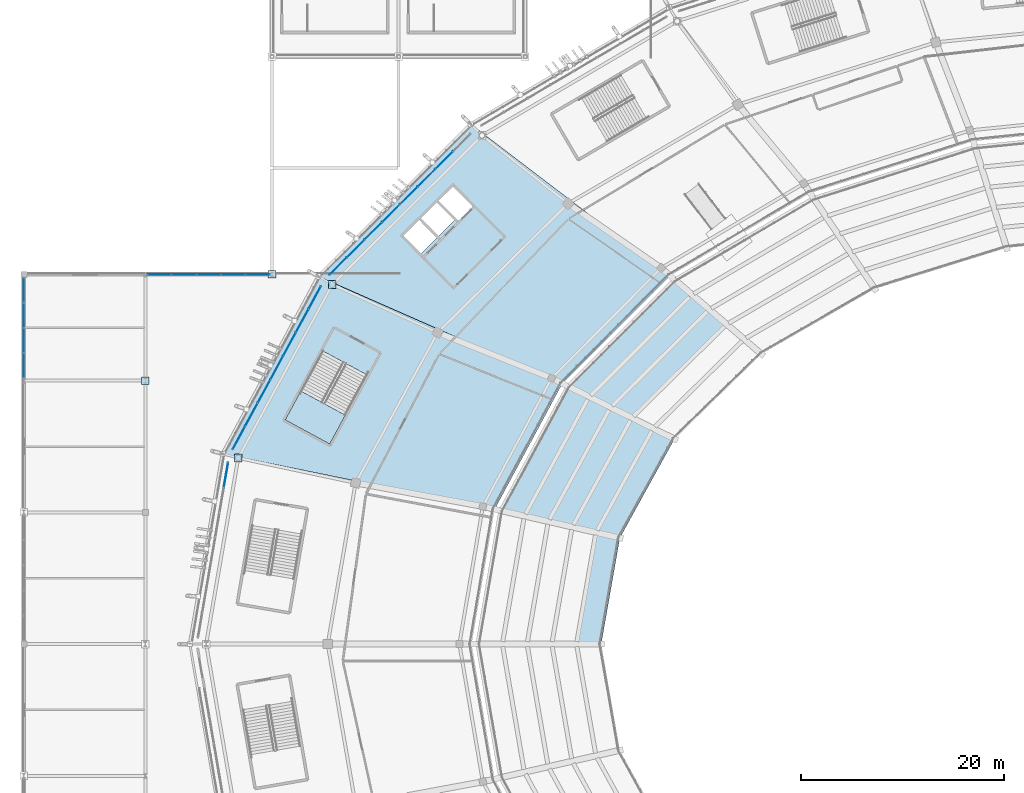
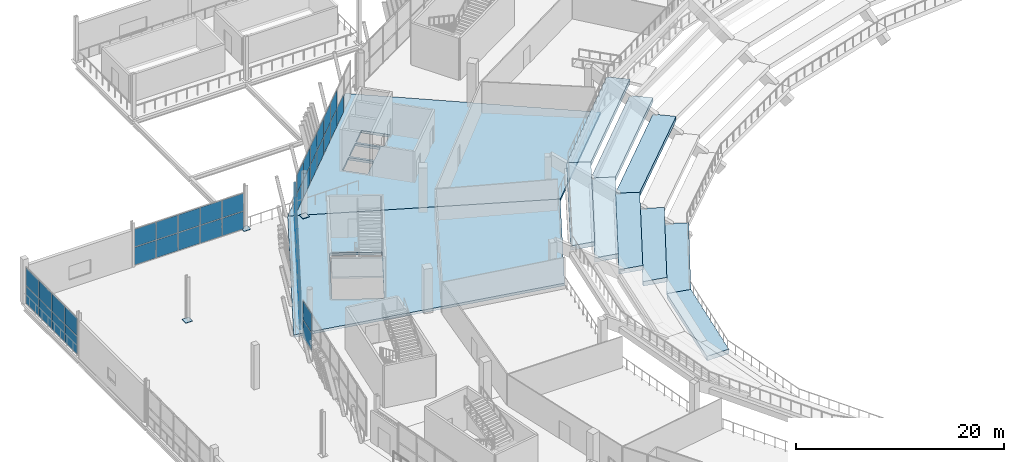
# One storey, part 93 of 178: 51 plates, 12 slabs, 6 elements without a shape of their own.
"""IFC4 building model written with IfcOpenShell, lengths in metres."""

from ifc_helpers import new_model, si_unit, direction, frame, origin, origin_2d, place, context, subcontext, project, spatial, polyline, rectangle, outline, extrude, material, layer, layer_set, type_object, element, aggregate, save


model = new_model("IFC4")

# Units and contexts
model_context = context("Model", 3, precision=1e-05, world=origin(), true_north=direction((0.0, 1.0)))
body_context = subcontext(model_context, "Body", "Model", "MODEL_VIEW")
ifc_project = project(units=[si_unit("LENGTHUNIT", "METRE"), si_unit("AREAUNIT", "SQUARE_METRE"), si_unit("VOLUMEUNIT", "CUBIC_METRE"), si_unit("PLANEANGLEUNIT", "RADIAN"), si_unit("MASSUNIT", "GRAM", prefix="KILO")], contexts=[model_context])

# Site, building, storey
site_placement = place(None, origin())
site = spatial("IfcSite", under=ifc_project, at=site_placement, CompositionType="ELEMENT")
building_placement = place(site_placement, origin())
building = spatial("IfcBuilding", under=site, at=building_placement, Name="Zlatoyarsky Gate Stadium", CompositionType="ELEMENT")
storey_placement = place(building_placement, frame((0.0, 0.0, 5.39990234375)))
storey = spatial("IfcBuildingStorey", under=building, at=storey_placement, Name="L01", CompositionType="ELEMENT", Elevation=5.39990234375)

# Slabs
ifc_material_1 = material(Name="Concrete C40/50", Category="concrete")
ifc_layer_1 = layer(ifc_material_1, 0.300048828125)
ifc_layer_set_1 = layer_set([ifc_layer_1], Name="Concrete C40/50")
slab_type_1 = type_object("IfcSlabType", Name="CONCRETE CONCOURSE SLAB 300", PredefinedType="FLOOR", material=ifc_layer_set_1)
slab_1_placement = place(storey_placement, frame((0.0, 0.0, -0.2998046875)))
element("IfcSlab", 1, at=slab_1_placement, inside=storey, type_object=slab_type_1, Name="L01 bowl sector 09 slab", PredefinedType="FLOOR", context=body_context, shape_type="SweptSolid", body=[
    extrude(outline(polyline([(53.1494140625, 105.699951171875), (29.066650390625, 116.30419921875), (44.101806640625, 131.342041015625), (63.765380859375, 116.34521484375), (53.1494140625, 105.699951171875)]), holes=[polyline([(40.7880859375, 120.0986328125), (39.02490234375, 121.870849609375), (37.46533203125, 120.319091796875), (39.228759765625, 118.547119140625), (40.7880859375, 120.0986328125)]), polyline([(42.52490234375, 121.82666015625), (40.76171875, 123.598876953125), (39.2021484375, 122.047119140625), (40.965576171875, 120.27490234375), (42.52490234375, 121.82666015625)]), polyline([(42.356689453125, 125.185791015625), (40.93896484375, 123.775146484375), (42.913818359375, 121.790283203125), (44.331787109375, 123.200927734375), (42.356689453125, 125.185791015625)])]), origin(), (0.0, 0.0, 1.0), 0.2998046875),
])
slab_2_placement = place(storey_placement, frame((0.0, 0.0, -0.2998046875)))
element("IfcSlab", 2, at=slab_2_placement, inside=storey, type_object=slab_type_1, Name="L01 bowl sector 10 slab", PredefinedType="FLOOR", context=body_context, shape_type="SweptSolid", body=[
    extrude(outline(polyline([(46.476318359375, 93.30322265625), (19.615234375, 98.79248046875), (29.066650390625, 116.30419921875), (53.1494140625, 105.699951171875), (46.476318359375, 93.30322265625)]), holes=[polyline([(29.4970703125, 108.94580078125), (25.80126953125, 102.1337890625), (30.196044921875, 99.749267578125), (33.891845703125, 106.561279296875), (29.4970703125, 108.94580078125)])]), origin(), (0.0, 0.0, 1.0), 0.2998046875),
])

# Stair, slab
stair_type = type_object("IfcStairType", Name="CONCRETE DOGLEG EXIT STAIR H5200", PredefinedType="TWO_STRAIGHT_RUN_STAIR", material=ifc_material_1)
stair_placement = place(storey_placement, origin())
stair = element("IfcStair", 3, at=stair_placement, inside=storey, type_object=stair_type, Name="L01 Exit Stair ST-06", PredefinedType="TWO_STRAIGHT_RUN_STAIR")
ifc_layer_2 = layer(ifc_material_1, 0.199951171875)
ifc_layer_set_2 = layer_set([ifc_layer_2], Name="Concrete C40/50")
slab_type_2 = type_object("IfcSlabType", Name="CONCRETE STAIR LANDING SLAB 200", PredefinedType="LANDING", material=ifc_layer_set_2)
slab_3_placement = place(storey_placement, frame((0.0, 0.0, 2.400146484375)))
slab_3 = element("IfcSlab", 4, at=slab_3_placement, type_object=slab_type_2, Name="ST-DG52 landing 1", PredefinedType="LANDING", context=body_context, shape_type="SweptSolid", body=[
    extrude(outline(polyline([(27.35107421875, 104.990478515625), (25.80126953125, 102.1337890625), (30.196044921875, 99.749267578125), (31.745849609375, 102.60595703125), (27.35107421875, 104.990478515625)])), origin(), (0.0, 0.0, 1.0), 0.199951171875),
])
aggregate(stair, [slab_3])

# Slabs
ifc_material_2 = material(Name="Precast concrete C40/50", Category="concrete")
ifc_layer_3 = layer(ifc_material_2, 0.52001953125)
ifc_layer_set_3 = layer_set([ifc_layer_3], Name="Precast concrete C40/50")
slab_type_3 = type_object("IfcSlabType", Name="PRECAST LOWER SEATING TIER UNIT 520", PredefinedType="USERDEFINED", material=ifc_layer_set_3)
slab_4_placement = place(storey_placement, frame((0.0, 0.0, -0.06982421875)))
element("IfcSlab", 5, at=slab_4_placement, inside=storey, type_object=slab_type_3, Name="Lower seating tier sector 09 row 3", ObjectType="SEATING TIER", PredefinedType="USERDEFINED", context=body_context, shape_type="SweptSolid", body=[
    extrude(outline(polyline([(69.365478515625, 111.551025390625), (67.64013671875, 113.0078125), (57.895263671875, 103.340087890625), (60.00830078125, 102.31005859375), (69.365478515625, 111.551025390625)])), origin(), (0.0, 0.0, 1.0), 0.52001953125),
])
slab_5_placement = place(storey_placement, frame((0.0, 0.0, 1.830078125)))
element("IfcSlab", 6, at=slab_5_placement, inside=storey, type_object=slab_type_3, Name="Lower seating tier sector 09 row 4", ObjectType="SEATING TIER", PredefinedType="USERDEFINED", context=body_context, shape_type="SweptSolid", body=[
    extrude(outline(polyline([(67.64013671875, 113.0078125), (65.914794921875, 114.46435546875), (55.7822265625, 104.3701171875), (57.895263671875, 103.340087890625), (67.64013671875, 113.0078125)])), origin(), (0.0, 0.0, 1.0), 0.52001953125),
])
slab_6_placement = place(storey_placement, frame((0.0, 0.0, 3.72998046875)))
element("IfcSlab", 7, at=slab_6_placement, inside=storey, type_object=slab_type_3, Name="Lower seating tier sector 09 row 5", ObjectType="SEATING TIER", PredefinedType="USERDEFINED", context=body_context, shape_type="SweptSolid", body=[
    extrude(outline(polyline([(65.914794921875, 114.46435546875), (64.189453125, 115.9208984375), (53.669189453125, 105.39990234375), (55.7822265625, 104.3701171875), (65.914794921875, 114.46435546875)])), origin(), (0.0, 0.0, 1.0), 0.52001953125),
])
slab_7_placement = place(storey_placement, frame((0.0, 0.0, -3.869873046875)))
element("IfcSlab", 8, at=slab_7_placement, inside=storey, type_object=slab_type_3, Name="Lower seating tier sector 10 row 1", ObjectType="SEATING TIER", PredefinedType="USERDEFINED", context=body_context, shape_type="SweptSolid", body=[
    extrude(outline(polyline([(64.234619140625, 100.25), (62.12158203125, 101.280029296875), (56.483154296875, 91.015380859375), (58.840087890625, 90.482177734375), (64.234619140625, 100.25)])), origin(), (0.0, 0.0, 1.0), 0.52001953125),
])
slab_8_placement = place(storey_placement, frame((0.0, 0.0, -1.969970703125)))
element("IfcSlab", 9, at=slab_8_placement, inside=storey, type_object=slab_type_3, Name="Lower seating tier sector 10 row 2", ObjectType="SEATING TIER", PredefinedType="USERDEFINED", context=body_context, shape_type="SweptSolid", body=[
    extrude(outline(polyline([(62.12158203125, 101.280029296875), (60.00830078125, 102.31005859375), (54.126220703125, 91.548583984375), (56.483154296875, 91.015380859375), (62.12158203125, 101.280029296875)])), origin(), (0.0, 0.0, 1.0), 0.52001953125),
])
slab_9_placement = place(storey_placement, frame((0.0, 0.0, -0.06982421875)))
element("IfcSlab", 10, at=slab_9_placement, inside=storey, type_object=slab_type_3, Name="Lower seating tier sector 10 row 3", ObjectType="SEATING TIER", PredefinedType="USERDEFINED", context=body_context, shape_type="SweptSolid", body=[
    extrude(outline(polyline([(60.00830078125, 102.31005859375), (57.895263671875, 103.340087890625), (51.769287109375, 92.081787109375), (54.126220703125, 91.548583984375), (60.00830078125, 102.31005859375)])), origin(), (0.0, 0.0, 1.0), 0.52001953125),
])
slab_10_placement = place(storey_placement, frame((0.0, 0.0, 1.830078125)))
element("IfcSlab", 11, at=slab_10_placement, inside=storey, type_object=slab_type_3, Name="Lower seating tier sector 10 row 4", ObjectType="SEATING TIER", PredefinedType="USERDEFINED", context=body_context, shape_type="SweptSolid", body=[
    extrude(outline(polyline([(57.895263671875, 103.340087890625), (55.7822265625, 104.3701171875), (49.41259765625, 92.61474609375), (51.769287109375, 92.081787109375), (57.895263671875, 103.340087890625)])), origin(), (0.0, 0.0, 1.0), 0.52001953125),
])
slab_11_placement = place(storey_placement, frame((0.0, 0.0, 3.72998046875)))
element("IfcSlab", 12, at=slab_11_placement, inside=storey, type_object=slab_type_3, Name="Lower seating tier sector 10 row 5", ObjectType="SEATING TIER", PredefinedType="USERDEFINED", context=body_context, shape_type="SweptSolid", body=[
    extrude(outline(polyline([(55.7822265625, 104.3701171875), (53.669189453125, 105.39990234375), (47.0556640625, 93.14794921875), (49.41259765625, 92.61474609375), (55.7822265625, 104.3701171875)])), origin(), (0.0, 0.0, 1.0), 0.52001953125),
])
slab_12_placement = place(storey_placement, frame((0.0, 0.0, -3.869873046875)))
element("IfcSlab", 13, at=slab_12_placement, inside=storey, type_object=slab_type_3, Name="Lower seating tier sector 11 row 1", ObjectType="SEATING TIER", PredefinedType="USERDEFINED", context=body_context, shape_type="SweptSolid", body=[
    extrude(outline(polyline([(58.840087890625, 90.482177734375), (56.483154296875, 91.015380859375), (54.56005859375, 80.0), (57.0, 80.0), (58.840087890625, 90.482177734375)])), origin(), (0.0, 0.0, 1.0), 0.52001953125),
])

# Plates
ifc_material_3 = material(Name="Steel S355", Category="steel")
ifc_layer_4 = layer(ifc_material_3, 0.0400390625)
ifc_layer_set_4 = layer_set([ifc_layer_4], Name="Steel S355")
plate_type_1 = type_object("IfcPlateType", Name="STEEL COLUMN BASE PLATE 40", PredefinedType="USERDEFINED", material=ifc_layer_set_4)
for number, where, z_axis, x_axis, name in (
    (14, (30.459716796875, 115.5, 0.0), (0.0, 0.0, 1.0), (1.0, 0.0, 0.0), "Column base plate BP-01 at RC-10 L01"),
    (15, (21.1689453125, 98.376220703125, 0.0), (0.0, 0.0, 1.0), (1.0, 0.0, 0.0), "Column base plate BP-01 at RC-11 L01"),
    (16, (12.0, 106.0, 0.0), (0.0, 0.0, 1.0), (1.0, 0.0, 0.0), "Column base plate BP-01 at WG-2-K L01"),
    (17, (24.5, 116.5, 0.0), (0.0, 0.0, 1.0), (1.0, 0.0, 0.0), "Column base plate BP-01 at WG-3-L L01"),
):
    element("IfcPlate", number, at=place(storey_placement, frame(where, z_axis=z_axis, x_axis=x_axis)), inside=storey, type_object=plate_type_1, Name=name, ObjectType="BASE PLATE", PredefinedType="USERDEFINED", context=body_context, shape_type="SweptSolid", body=[
        extrude(rectangle(XDim=0.75, YDim=0.75, at=origin_2d()), origin(), (0.0, 0.0, 1.0), 0.0400390625),
    ])

# Curtain wall, plates
ifc_material_4 = material(Name="Thermally broken anodised aluminium curtain wall", Category="aluminium")
curtain_wall_type_1 = type_object("IfcCurtainWallType", Name="UNITISED HOSPITALITY GLAZING L01", PredefinedType="USERDEFINED", material=ifc_material_4)
curtain_wall_1_placement = place(storey_placement, origin())
curtain_wall_1 = element("IfcCurtainWall", 18, at=curtain_wall_1_placement, inside=storey, type_object=curtain_wall_type_1, Name="Curtain wall CW-L01-09", ObjectType="UNITISED GLAZING", PredefinedType="USERDEFINED")
ifc_material_5 = material(Name="Triple-glazed argon low-e architectural glass", Category="glass")
ifc_layer_5 = layer(ifc_material_5, 0.0380859375)
ifc_layer_set_5 = layer_set([ifc_layer_5], Name="Triple-glazed argon low-e architectural glass")
plate_type_2 = type_object("IfcPlateType", Name="TRIPLE GLAZED LOW E CURTAIN PANEL 38", PredefinedType="CURTAIN_PANEL", material=ifc_layer_set_5)
plate_1_placement = place(storey_placement, frame((41.510986328125, 127.767578125, 0.06494140625), z_axis=(0.0, 0.0, 1.0), x_axis=(-0.707841859523, -0.706370937898, 0.0)))
plate_1 = element("IfcPlate", 19, at=plate_1_placement, type_object=plate_type_2, Name="CW-UG1 panel 2.1", PredefinedType="CURTAIN_PANEL", context=body_context, shape_type="SweptSolid", body=[
    extrude(rectangle(XDim=2.407958984375, YDim=0.0380859375, at=origin_2d()), origin(), (0.0, 0.0, 1.0), 2.052490234375),
])
plate_2_placement = place(storey_placement, frame((39.760498046875, 126.020751953125, 0.06494140625), z_axis=(0.0, 0.0, 1.0), x_axis=(-0.707841859523, -0.706370937898, 0.0)))
plate_2 = element("IfcPlate", 20, at=plate_2_placement, type_object=plate_type_2, Name="CW-UG1 panel 3.1", PredefinedType="CURTAIN_PANEL", context=body_context, shape_type="SweptSolid", body=[
    extrude(rectangle(XDim=2.407958984375, YDim=0.0380859375, at=origin_2d()), origin(), (0.0, 0.0, 1.0), 2.052490234375),
])
plate_3_placement = place(storey_placement, frame((39.760498046875, 126.020751953125, 2.1826171875), z_axis=(0.0, 0.0, 1.0), x_axis=(-0.707841859523, -0.706370937898, 0.0)))
plate_3 = element("IfcPlate", 21, at=plate_3_placement, type_object=plate_type_2, Name="CW-UG1 panel 3.2", PredefinedType="CURTAIN_PANEL", context=body_context, shape_type="SweptSolid", body=[
    extrude(rectangle(XDim=2.407958984375, YDim=0.0380859375, at=origin_2d()), origin(), (0.0, 0.0, 1.0), 2.152587890625),
])
plate_4_placement = place(storey_placement, frame((38.010009765625, 124.274169921875, 0.06494140625), z_axis=(0.0, 0.0, 1.0), x_axis=(-0.707841859523, -0.706370937898, 0.0)))
plate_4 = element("IfcPlate", 22, at=plate_4_placement, type_object=plate_type_2, Name="CW-UG1 panel 4.1", PredefinedType="CURTAIN_PANEL", context=body_context, shape_type="SweptSolid", body=[
    extrude(rectangle(XDim=2.407958984375, YDim=0.0380859375, at=origin_2d()), origin(), (0.0, 0.0, 1.0), 2.052490234375),
])
plate_5_placement = place(storey_placement, frame((38.010009765625, 124.274169921875, 2.1826171875), z_axis=(0.0, 0.0, 1.0), x_axis=(-0.707841859523, -0.706370937898, 0.0)))
plate_5 = element("IfcPlate", 23, at=plate_5_placement, type_object=plate_type_2, Name="CW-UG1 panel 4.2", PredefinedType="CURTAIN_PANEL", context=body_context, shape_type="SweptSolid", body=[
    extrude(rectangle(XDim=2.407958984375, YDim=0.0380859375, at=origin_2d()), origin(), (0.0, 0.0, 1.0), 2.152587890625),
])
plate_6_placement = place(storey_placement, frame((36.259521484375, 122.52734375, 0.06494140625), z_axis=(0.0, 0.0, 1.0), x_axis=(-0.707841859523, -0.706370937898, 0.0)))
plate_6 = element("IfcPlate", 24, at=plate_6_placement, type_object=plate_type_2, Name="CW-UG1 panel 5.1", PredefinedType="CURTAIN_PANEL", context=body_context, shape_type="SweptSolid", body=[
    extrude(rectangle(XDim=2.407958984375, YDim=0.0380859375, at=origin_2d()), origin(), (0.0, 0.0, 1.0), 2.052490234375),
])
plate_7_placement = place(storey_placement, frame((36.259521484375, 122.52734375, 2.1826171875), z_axis=(0.0, 0.0, 1.0), x_axis=(-0.707841859523, -0.706370937898, 0.0)))
plate_7 = element("IfcPlate", 25, at=plate_7_placement, type_object=plate_type_2, Name="CW-UG1 panel 5.2", PredefinedType="CURTAIN_PANEL", context=body_context, shape_type="SweptSolid", body=[
    extrude(rectangle(XDim=2.407958984375, YDim=0.0380859375, at=origin_2d()), origin(), (0.0, 0.0, 1.0), 2.152587890625),
])
plate_8_placement = place(storey_placement, frame((34.509033203125, 120.780517578125, 0.06494140625), z_axis=(0.0, 0.0, 1.0), x_axis=(-0.707841859523, -0.706370937898, 0.0)))
plate_8 = element("IfcPlate", 26, at=plate_8_placement, type_object=plate_type_2, Name="CW-UG1 panel 6.1", PredefinedType="CURTAIN_PANEL", context=body_context, shape_type="SweptSolid", body=[
    extrude(rectangle(XDim=2.407958984375, YDim=0.0380859375, at=origin_2d()), origin(), (0.0, 0.0, 1.0), 2.052490234375),
])
plate_9_placement = place(storey_placement, frame((34.509033203125, 120.780517578125, 2.1826171875), z_axis=(0.0, 0.0, 1.0), x_axis=(-0.707841859523, -0.706370937898, 0.0)))
plate_9 = element("IfcPlate", 27, at=plate_9_placement, type_object=plate_type_2, Name="CW-UG1 panel 6.2", PredefinedType="CURTAIN_PANEL", context=body_context, shape_type="SweptSolid", body=[
    extrude(rectangle(XDim=2.407958984375, YDim=0.0380859375, at=origin_2d()), origin(), (0.0, 0.0, 1.0), 2.152587890625),
])
plate_10_placement = place(storey_placement, frame((32.7587890625, 119.03369140625, 0.06494140625), z_axis=(0.0, 0.0, 1.0), x_axis=(-0.707841859523, -0.706370937898, 0.0)))
plate_10 = element("IfcPlate", 28, at=plate_10_placement, type_object=plate_type_2, Name="CW-UG1 panel 7.1", PredefinedType="CURTAIN_PANEL", context=body_context, shape_type="SweptSolid", body=[
    extrude(rectangle(XDim=2.407958984375, YDim=0.0380859375, at=origin_2d()), origin(), (0.0, 0.0, 1.0), 2.052490234375),
])
plate_11_placement = place(storey_placement, frame((32.7587890625, 119.03369140625, 2.1826171875), z_axis=(0.0, 0.0, 1.0), x_axis=(-0.707841859523, -0.706370937898, 0.0)))
plate_11 = element("IfcPlate", 29, at=plate_11_placement, type_object=plate_type_2, Name="CW-UG1 panel 7.2", PredefinedType="CURTAIN_PANEL", context=body_context, shape_type="SweptSolid", body=[
    extrude(rectangle(XDim=2.407958984375, YDim=0.0380859375, at=origin_2d()), origin(), (0.0, 0.0, 1.0), 2.152587890625),
])
plate_12_placement = place(storey_placement, frame((31.019775390625, 117.29833984375, 0.06494140625), z_axis=(0.0, 0.0, 1.0), x_axis=(-0.707841859523, -0.706370937898, 0.0)))
plate_12 = element("IfcPlate", 30, at=plate_12_placement, type_object=plate_type_2, Name="CW-UG1 panel 8.1", PredefinedType="CURTAIN_PANEL", context=body_context, shape_type="SweptSolid", body=[
    extrude(rectangle(XDim=2.37548828125, YDim=0.0380859375, at=origin_2d()), origin(), (0.0, 0.0, 1.0), 2.052490234375),
])
plate_13_placement = place(storey_placement, frame((31.019775390625, 117.29833984375, 2.1826171875), z_axis=(0.0, 0.0, 1.0), x_axis=(-0.707841859523, -0.706370937898, 0.0)))
plate_13 = element("IfcPlate", 31, at=plate_13_placement, type_object=plate_type_2, Name="CW-UG1 panel 8.2", PredefinedType="CURTAIN_PANEL", context=body_context, shape_type="SweptSolid", body=[
    extrude(rectangle(XDim=2.37548828125, YDim=0.0380859375, at=origin_2d()), origin(), (0.0, 0.0, 1.0), 2.152587890625),
])
aggregate(curtain_wall_1, [plate_1, plate_2, plate_3, plate_4, plate_5, plate_6, plate_7, plate_8, plate_9, plate_10, plate_11, plate_12, plate_13])

curtain_wall_2_placement = place(storey_placement, origin())
curtain_wall_2 = element("IfcCurtainWall", 32, at=curtain_wall_2_placement, inside=storey, type_object=curtain_wall_type_1, Name="Curtain wall CW-L01-10", ObjectType="UNITISED GLAZING", PredefinedType="USERDEFINED")
plate_14_placement = place(storey_placement, frame((28.72998046875, 114.211181640625, 0.06494140625), z_axis=(0.0, 0.0, 1.0), x_axis=(-0.475784225682, -0.879562033396, 0.0)))
plate_14 = element("IfcPlate", 33, at=plate_14_placement, type_object=plate_type_2, Name="CW-UG1 panel 1.1", PredefinedType="CURTAIN_PANEL", context=body_context, shape_type="SweptSolid", body=[
    extrude(rectangle(XDim=2.53369140625, YDim=0.0380859375, at=origin_2d()), origin(), (0.0, 0.0, 1.0), 2.052490234375),
])
plate_15_placement = place(storey_placement, frame((28.72998046875, 114.211181640625, 2.1826171875), z_axis=(0.0, 0.0, 1.0), x_axis=(-0.475784225682, -0.879562033396, 0.0)))
plate_15 = element("IfcPlate", 34, at=plate_15_placement, type_object=plate_type_2, Name="CW-UG1 panel 1.2", PredefinedType="CURTAIN_PANEL", context=body_context, shape_type="SweptSolid", body=[
    extrude(rectangle(XDim=2.53369140625, YDim=0.0380859375, at=origin_2d()), origin(), (0.0, 0.0, 1.0), 2.152587890625),
])
plate_16_placement = place(storey_placement, frame((27.48583984375, 111.911376953125, 0.06494140625), z_axis=(0.0, 0.0, 1.0), x_axis=(-0.475784225682, -0.879562033396, 0.0)))
plate_16 = element("IfcPlate", 35, at=plate_16_placement, type_object=plate_type_2, Name="CW-UG1 panel 2.1", PredefinedType="CURTAIN_PANEL", context=body_context, shape_type="SweptSolid", body=[
    extrude(rectangle(XDim=2.566162109375, YDim=0.0380859375, at=origin_2d()), origin(), (0.0, 0.0, 1.0), 2.052490234375),
])
plate_17_placement = place(storey_placement, frame((27.48583984375, 111.911376953125, 2.1826171875), z_axis=(0.0, 0.0, 1.0), x_axis=(-0.475784225682, -0.879562033396, 0.0)))
plate_17 = element("IfcPlate", 36, at=plate_17_placement, type_object=plate_type_2, Name="CW-UG1 panel 2.2", PredefinedType="CURTAIN_PANEL", context=body_context, shape_type="SweptSolid", body=[
    extrude(rectangle(XDim=2.566162109375, YDim=0.0380859375, at=origin_2d()), origin(), (0.0, 0.0, 1.0), 2.152587890625),
])
plate_18_placement = place(storey_placement, frame((26.23388671875, 109.596923828125, 0.06494140625), z_axis=(0.0, 0.0, 1.0), x_axis=(-0.475784225682, -0.879562033396, 0.0)))
plate_18 = element("IfcPlate", 37, at=plate_18_placement, type_object=plate_type_2, Name="CW-UG1 panel 3.1", PredefinedType="CURTAIN_PANEL", context=body_context, shape_type="SweptSolid", body=[
    extrude(rectangle(XDim=2.566162109375, YDim=0.0380859375, at=origin_2d()), origin(), (0.0, 0.0, 1.0), 2.052490234375),
])
plate_19_placement = place(storey_placement, frame((26.23388671875, 109.596923828125, 2.1826171875), z_axis=(0.0, 0.0, 1.0), x_axis=(-0.475784225682, -0.879562033396, 0.0)))
plate_19 = element("IfcPlate", 38, at=plate_19_placement, type_object=plate_type_2, Name="CW-UG1 panel 3.2", PredefinedType="CURTAIN_PANEL", context=body_context, shape_type="SweptSolid", body=[
    extrude(rectangle(XDim=2.566162109375, YDim=0.0380859375, at=origin_2d()), origin(), (0.0, 0.0, 1.0), 2.152587890625),
])
plate_20_placement = place(storey_placement, frame((24.982177734375, 107.28271484375, 0.06494140625), z_axis=(0.0, 0.0, 1.0), x_axis=(-0.475784225682, -0.879562033396, 0.0)))
plate_20 = element("IfcPlate", 39, at=plate_20_placement, type_object=plate_type_2, Name="CW-UG1 panel 4.1", PredefinedType="CURTAIN_PANEL", context=body_context, shape_type="SweptSolid", body=[
    extrude(rectangle(XDim=2.566162109375, YDim=0.0380859375, at=origin_2d()), origin(), (0.0, 0.0, 1.0), 2.052490234375),
])
plate_21_placement = place(storey_placement, frame((24.982177734375, 107.28271484375, 2.1826171875), z_axis=(0.0, 0.0, 1.0), x_axis=(-0.475784225682, -0.879562033396, 0.0)))
plate_21 = element("IfcPlate", 40, at=plate_21_placement, type_object=plate_type_2, Name="CW-UG1 panel 4.2", PredefinedType="CURTAIN_PANEL", context=body_context, shape_type="SweptSolid", body=[
    extrude(rectangle(XDim=2.566162109375, YDim=0.0380859375, at=origin_2d()), origin(), (0.0, 0.0, 1.0), 2.152587890625),
])
plate_22_placement = place(storey_placement, frame((23.730224609375, 104.968505859375, 0.06494140625), z_axis=(0.0, 0.0, 1.0), x_axis=(-0.475784225682, -0.879562033396, 0.0)))
plate_22 = element("IfcPlate", 41, at=plate_22_placement, type_object=plate_type_2, Name="CW-UG1 panel 5.1", PredefinedType="CURTAIN_PANEL", context=body_context, shape_type="SweptSolid", body=[
    extrude(rectangle(XDim=2.566162109375, YDim=0.0380859375, at=origin_2d()), origin(), (0.0, 0.0, 1.0), 2.052490234375),
])
plate_23_placement = place(storey_placement, frame((23.730224609375, 104.968505859375, 2.1826171875), z_axis=(0.0, 0.0, 1.0), x_axis=(-0.475784225682, -0.879562033396, 0.0)))
plate_23 = element("IfcPlate", 42, at=plate_23_placement, type_object=plate_type_2, Name="CW-UG1 panel 5.2", PredefinedType="CURTAIN_PANEL", context=body_context, shape_type="SweptSolid", body=[
    extrude(rectangle(XDim=2.566162109375, YDim=0.0380859375, at=origin_2d()), origin(), (0.0, 0.0, 1.0), 2.152587890625),
])
plate_24_placement = place(storey_placement, frame((22.478515625, 102.654296875, 0.06494140625), z_axis=(0.0, 0.0, 1.0), x_axis=(-0.475784225682, -0.879562033396, 0.0)))
plate_24 = element("IfcPlate", 43, at=plate_24_placement, type_object=plate_type_2, Name="CW-UG1 panel 6.1", PredefinedType="CURTAIN_PANEL", context=body_context, shape_type="SweptSolid", body=[
    extrude(rectangle(XDim=2.566162109375, YDim=0.0380859375, at=origin_2d()), origin(), (0.0, 0.0, 1.0), 2.052490234375),
])
plate_25_placement = place(storey_placement, frame((22.478515625, 102.654296875, 2.1826171875), z_axis=(0.0, 0.0, 1.0), x_axis=(-0.475784225682, -0.879562033396, 0.0)))
plate_25 = element("IfcPlate", 44, at=plate_25_placement, type_object=plate_type_2, Name="CW-UG1 panel 6.2", PredefinedType="CURTAIN_PANEL", context=body_context, shape_type="SweptSolid", body=[
    extrude(rectangle(XDim=2.566162109375, YDim=0.0380859375, at=origin_2d()), origin(), (0.0, 0.0, 1.0), 2.152587890625),
])
plate_26_placement = place(storey_placement, frame((21.234375, 100.3544921875, 0.06494140625), z_axis=(0.0, 0.0, 1.0), x_axis=(-0.475784225682, -0.879562033396, 0.0)))
plate_26 = element("IfcPlate", 45, at=plate_26_placement, type_object=plate_type_2, Name="CW-UG1 panel 7.1", PredefinedType="CURTAIN_PANEL", context=body_context, shape_type="SweptSolid", body=[
    extrude(rectangle(XDim=2.53369140625, YDim=0.0380859375, at=origin_2d()), origin(), (0.0, 0.0, 1.0), 2.052490234375),
])
plate_27_placement = place(storey_placement, frame((21.234375, 100.3544921875, 2.1826171875), z_axis=(0.0, 0.0, 1.0), x_axis=(-0.475784225682, -0.879562033396, 0.0)))
plate_27 = element("IfcPlate", 46, at=plate_27_placement, type_object=plate_type_2, Name="CW-UG1 panel 7.2", PredefinedType="CURTAIN_PANEL", context=body_context, shape_type="SweptSolid", body=[
    extrude(rectangle(XDim=2.53369140625, YDim=0.0380859375, at=origin_2d()), origin(), (0.0, 0.0, 1.0), 2.152587890625),
])
aggregate(curtain_wall_2, [plate_14, plate_15, plate_16, plate_17, plate_18, plate_19, plate_20, plate_21, plate_22, plate_23, plate_24, plate_25, plate_26, plate_27])

curtain_wall_3_placement = place(storey_placement, origin())
curtain_wall_3 = element("IfcCurtainWall", 47, at=curtain_wall_3_placement, inside=storey, type_object=curtain_wall_type_1, Name="Curtain wall CW-L01-11", ObjectType="UNITISED GLAZING", PredefinedType="USERDEFINED")
plate_28_placement = place(storey_placement, frame((19.9658203125, 96.716796875, 0.06494140625), z_axis=(0.0, 0.0, 1.0), x_axis=(-0.169451371657, -0.985538549547, 0.0)))
plate_28 = element("IfcPlate", 48, at=plate_28_placement, type_object=plate_type_2, Name="CW-UG1 panel 1.1", PredefinedType="CURTAIN_PANEL", context=body_context, shape_type="SweptSolid", body=[
    extrude(rectangle(XDim=2.41455078125, YDim=0.0380859375, at=origin_2d()), origin(), (0.0, 0.0, 1.0), 2.052490234375),
])
plate_29_placement = place(storey_placement, frame((19.9658203125, 96.716796875, 2.1826171875), z_axis=(0.0, 0.0, 1.0), x_axis=(-0.169451371657, -0.985538549547, 0.0)))
plate_29 = element("IfcPlate", 49, at=plate_29_placement, type_object=plate_type_2, Name="CW-UG1 panel 1.2", PredefinedType="CURTAIN_PANEL", context=body_context, shape_type="SweptSolid", body=[
    extrude(rectangle(XDim=2.41455078125, YDim=0.0380859375, at=origin_2d()), origin(), (0.0, 0.0, 1.0), 2.152587890625),
])
aggregate(curtain_wall_3, [plate_28, plate_29])

curtain_wall_type_2 = type_object("IfcCurtainWallType", Name="WINTER GARDEN CONSERVATORY GLAZING", PredefinedType="USERDEFINED", material=ifc_material_4)
curtain_wall_4_placement = place(storey_placement, origin())
curtain_wall_4 = element("IfcCurtainWall", 50, at=curtain_wall_4_placement, inside=storey, type_object=curtain_wall_type_2, Name="Curtain wall CW-V4_WEST-L01-167", ObjectType="UNITISED GLAZING", PredefinedType="USERDEFINED")
plate_30_placement = place(storey_placement, frame((0.0, 107.4970703125, 0.06494140625), z_axis=(0.0, 0.0, 1.0), x_axis=(0.0, 1.0, 0.0)))
plate_30 = element("IfcPlate", 51, at=plate_30_placement, type_object=plate_type_2, Name="CW-WG1 panel 1.1", PredefinedType="CURTAIN_PANEL", context=body_context, shape_type="SweptSolid", body=[
    extrude(rectangle(XDim=2.39013671875, YDim=0.0380859375, at=origin_2d()), origin(), (0.0, 0.0, 1.0), 2.052490234375),
])
plate_31_placement = place(storey_placement, frame((0.0, 107.4970703125, 2.1826171875), z_axis=(0.0, 0.0, 1.0), x_axis=(0.0, 1.0, 0.0)))
plate_31 = element("IfcPlate", 52, at=plate_31_placement, type_object=plate_type_2, Name="CW-WG1 panel 1.2", PredefinedType="CURTAIN_PANEL", context=body_context, shape_type="SweptSolid", body=[
    extrude(rectangle(XDim=2.39013671875, YDim=0.0380859375, at=origin_2d()), origin(), (0.0, 0.0, 1.0), 2.052490234375),
])
plate_32_placement = place(storey_placement, frame((0.0, 109.968505859375, 0.06494140625), z_axis=(0.0, 0.0, 1.0), x_axis=(0.0, 1.0, 0.0)))
plate_32 = element("IfcPlate", 53, at=plate_32_placement, type_object=plate_type_2, Name="CW-WG1 panel 2.1", PredefinedType="CURTAIN_PANEL", context=body_context, shape_type="SweptSolid", body=[
    extrude(rectangle(XDim=2.4228515625, YDim=0.0380859375, at=origin_2d()), origin(), (0.0, 0.0, 1.0), 2.052490234375),
])
plate_33_placement = place(storey_placement, frame((0.0, 109.968505859375, 2.1826171875), z_axis=(0.0, 0.0, 1.0), x_axis=(0.0, 1.0, 0.0)))
plate_33 = element("IfcPlate", 54, at=plate_33_placement, type_object=plate_type_2, Name="CW-WG1 panel 2.2", PredefinedType="CURTAIN_PANEL", context=body_context, shape_type="SweptSolid", body=[
    extrude(rectangle(XDim=2.4228515625, YDim=0.0380859375, at=origin_2d()), origin(), (0.0, 0.0, 1.0), 2.052490234375),
])
plate_34_placement = place(storey_placement, frame((0.0, 112.456298828125, 0.06494140625), z_axis=(0.0, 0.0, 1.0), x_axis=(0.0, 1.0, 0.0)))
plate_34 = element("IfcPlate", 55, at=plate_34_placement, type_object=plate_type_2, Name="CW-WG1 panel 3.1", PredefinedType="CURTAIN_PANEL", context=body_context, shape_type="SweptSolid", body=[
    extrude(rectangle(XDim=2.4228515625, YDim=0.0380859375, at=origin_2d()), origin(), (0.0, 0.0, 1.0), 2.052490234375),
])
plate_35_placement = place(storey_placement, frame((0.0, 112.456298828125, 2.1826171875), z_axis=(0.0, 0.0, 1.0), x_axis=(0.0, 1.0, 0.0)))
plate_35 = element("IfcPlate", 56, at=plate_35_placement, type_object=plate_type_2, Name="CW-WG1 panel 3.2", PredefinedType="CURTAIN_PANEL", context=body_context, shape_type="SweptSolid", body=[
    extrude(rectangle(XDim=2.4228515625, YDim=0.0380859375, at=origin_2d()), origin(), (0.0, 0.0, 1.0), 2.052490234375),
])
plate_36_placement = place(storey_placement, frame((0.0, 114.927978515625, 0.06494140625), z_axis=(0.0, 0.0, 1.0), x_axis=(0.0, 1.0, 0.0)))
plate_36 = element("IfcPlate", 57, at=plate_36_placement, type_object=plate_type_2, Name="CW-WG1 panel 4.1", PredefinedType="CURTAIN_PANEL", context=body_context, shape_type="SweptSolid", body=[
    extrude(rectangle(XDim=2.39013671875, YDim=0.0380859375, at=origin_2d()), origin(), (0.0, 0.0, 1.0), 2.052490234375),
])
plate_37_placement = place(storey_placement, frame((0.0, 114.927978515625, 2.1826171875), z_axis=(0.0, 0.0, 1.0), x_axis=(0.0, 1.0, 0.0)))
plate_37 = element("IfcPlate", 58, at=plate_37_placement, type_object=plate_type_2, Name="CW-WG1 panel 4.2", PredefinedType="CURTAIN_PANEL", context=body_context, shape_type="SweptSolid", body=[
    extrude(rectangle(XDim=2.39013671875, YDim=0.0380859375, at=origin_2d()), origin(), (0.0, 0.0, 1.0), 2.052490234375),
])
aggregate(curtain_wall_4, [plate_30, plate_31, plate_32, plate_33, plate_34, plate_35, plate_36, plate_37])

curtain_wall_5_placement = place(storey_placement, origin())
curtain_wall_5 = element("IfcCurtainWall", 59, at=curtain_wall_5_placement, inside=storey, type_object=curtain_wall_type_2, Name="Curtain wall CW-V4_WEST-L01-177", ObjectType="UNITISED GLAZING", PredefinedType="USERDEFINED")
plate_38_placement = place(storey_placement, frame((13.395751953125, 116.5, 0.06494140625), z_axis=(0.0, 0.0, 1.0), x_axis=(1.0, 0.0, 0.0)))
plate_38 = element("IfcPlate", 60, at=plate_38_placement, type_object=plate_type_2, Name="CW-WG1 panel 1.1", PredefinedType="CURTAIN_PANEL", context=body_context, shape_type="SweptSolid", body=[
    extrude(rectangle(XDim=2.337646484375, YDim=0.0380859375, at=origin_2d()), origin(), (0.0, 0.0, 1.0), 2.052490234375),
])
plate_39_placement = place(storey_placement, frame((13.395751953125, 116.5, 2.1826171875), z_axis=(0.0, 0.0, 1.0), x_axis=(1.0, 0.0, 0.0)))
plate_39 = element("IfcPlate", 61, at=plate_39_placement, type_object=plate_type_2, Name="CW-WG1 panel 1.2", PredefinedType="CURTAIN_PANEL", context=body_context, shape_type="SweptSolid", body=[
    extrude(rectangle(XDim=2.337646484375, YDim=0.0380859375, at=origin_2d()), origin(), (0.0, 0.0, 1.0), 2.052490234375),
])
plate_40_placement = place(storey_placement, frame((15.814697265625, 116.5, 0.06494140625), z_axis=(0.0, 0.0, 1.0), x_axis=(1.0, 0.0, 0.0)))
plate_40 = element("IfcPlate", 62, at=plate_40_placement, type_object=plate_type_2, Name="CW-WG1 panel 2.1", PredefinedType="CURTAIN_PANEL", context=body_context, shape_type="SweptSolid", body=[
    extrude(rectangle(XDim=2.3701171875, YDim=0.0380859375, at=origin_2d()), origin(), (0.0, 0.0, 1.0), 2.052490234375),
])
plate_41_placement = place(storey_placement, frame((15.814697265625, 116.5, 2.1826171875), z_axis=(0.0, 0.0, 1.0), x_axis=(1.0, 0.0, 0.0)))
plate_41 = element("IfcPlate", 63, at=plate_41_placement, type_object=plate_type_2, Name="CW-WG1 panel 2.2", PredefinedType="CURTAIN_PANEL", context=body_context, shape_type="SweptSolid", body=[
    extrude(rectangle(XDim=2.3701171875, YDim=0.0380859375, at=origin_2d()), origin(), (0.0, 0.0, 1.0), 2.052490234375),
])
plate_42_placement = place(storey_placement, frame((18.25, 116.5, 0.06494140625), z_axis=(0.0, 0.0, 1.0), x_axis=(1.0, 0.0, 0.0)))
plate_42 = element("IfcPlate", 64, at=plate_42_placement, type_object=plate_type_2, Name="CW-WG1 panel 3.1", PredefinedType="CURTAIN_PANEL", context=body_context, shape_type="SweptSolid", body=[
    extrude(rectangle(XDim=2.3701171875, YDim=0.0380859375, at=origin_2d()), origin(), (0.0, 0.0, 1.0), 2.052490234375),
])
plate_43_placement = place(storey_placement, frame((18.25, 116.5, 2.1826171875), z_axis=(0.0, 0.0, 1.0), x_axis=(1.0, 0.0, 0.0)))
plate_43 = element("IfcPlate", 65, at=plate_43_placement, type_object=plate_type_2, Name="CW-WG1 panel 3.2", PredefinedType="CURTAIN_PANEL", context=body_context, shape_type="SweptSolid", body=[
    extrude(rectangle(XDim=2.3701171875, YDim=0.0380859375, at=origin_2d()), origin(), (0.0, 0.0, 1.0), 2.052490234375),
])
plate_44_placement = place(storey_placement, frame((20.685302734375, 116.5, 0.06494140625), z_axis=(0.0, 0.0, 1.0), x_axis=(1.0, 0.0, 0.0)))
plate_44 = element("IfcPlate", 66, at=plate_44_placement, type_object=plate_type_2, Name="CW-WG1 panel 4.1", PredefinedType="CURTAIN_PANEL", context=body_context, shape_type="SweptSolid", body=[
    extrude(rectangle(XDim=2.3701171875, YDim=0.0380859375, at=origin_2d()), origin(), (0.0, 0.0, 1.0), 2.052490234375),
])
plate_45_placement = place(storey_placement, frame((20.685302734375, 116.5, 2.1826171875), z_axis=(0.0, 0.0, 1.0), x_axis=(1.0, 0.0, 0.0)))
plate_45 = element("IfcPlate", 67, at=plate_45_placement, type_object=plate_type_2, Name="CW-WG1 panel 4.2", PredefinedType="CURTAIN_PANEL", context=body_context, shape_type="SweptSolid", body=[
    extrude(rectangle(XDim=2.3701171875, YDim=0.0380859375, at=origin_2d()), origin(), (0.0, 0.0, 1.0), 2.052490234375),
])
plate_46_placement = place(storey_placement, frame((23.104248046875, 116.5, 0.06494140625), z_axis=(0.0, 0.0, 1.0), x_axis=(1.0, 0.0, 0.0)))
plate_46 = element("IfcPlate", 68, at=plate_46_placement, type_object=plate_type_2, Name="CW-WG1 panel 5.1", PredefinedType="CURTAIN_PANEL", context=body_context, shape_type="SweptSolid", body=[
    extrude(rectangle(XDim=2.337646484375, YDim=0.0380859375, at=origin_2d()), origin(), (0.0, 0.0, 1.0), 2.052490234375),
])
plate_47_placement = place(storey_placement, frame((23.104248046875, 116.5, 2.1826171875), z_axis=(0.0, 0.0, 1.0), x_axis=(1.0, 0.0, 0.0)))
plate_47 = element("IfcPlate", 69, at=plate_47_placement, type_object=plate_type_2, Name="CW-WG1 panel 5.2", PredefinedType="CURTAIN_PANEL", context=body_context, shape_type="SweptSolid", body=[
    extrude(rectangle(XDim=2.337646484375, YDim=0.0380859375, at=origin_2d()), origin(), (0.0, 0.0, 1.0), 2.052490234375),
])
aggregate(curtain_wall_5, [plate_38, plate_39, plate_40, plate_41, plate_42, plate_43, plate_44, plate_45, plate_46, plate_47])

save(model, "model.ifc")
